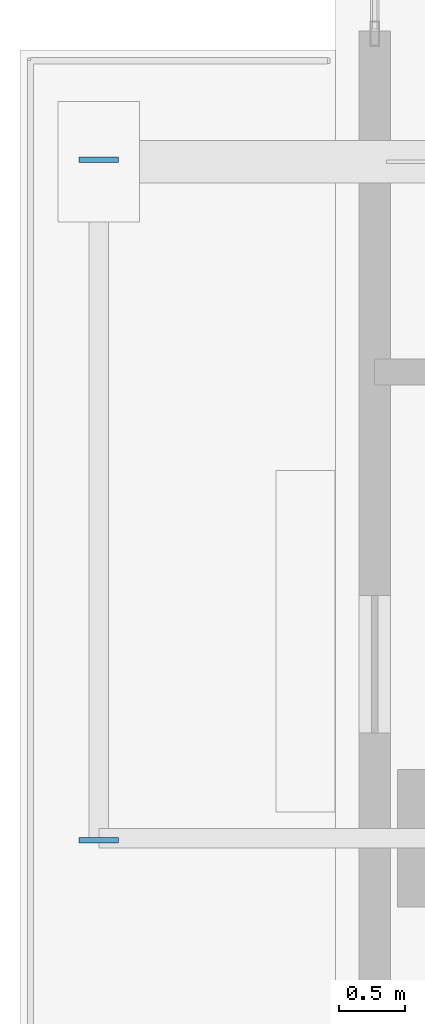
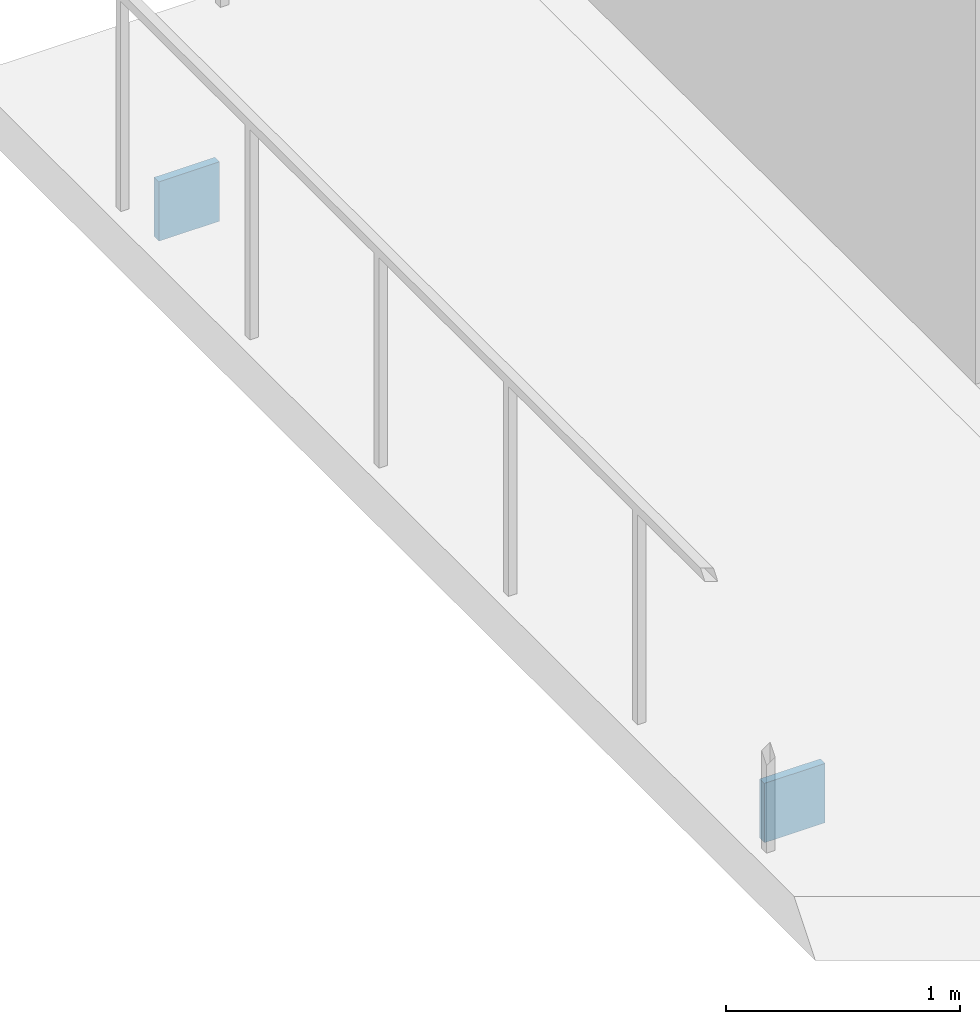
# One storey, part 18 of 25: 2 plates.
"""IFC4 building model written with IfcOpenShell, lengths in metres."""

import ifcopenshell
import ifcopenshell.guid

model = None  # the IFC model being written
_history = None  # IfcOwnerHistory: only IFC2X3 demands one
_inside = {}  # id of a spatial element -> (the spatial element, [elements in it])
_under = {}  # id of a project, library or spatial element -> (it, [spatial elements below it])
_declared = {}  # id of a project -> (the project, [libraries it declares])
_typed = {}  # id of a type object -> (the type object, [elements of that type])
_made_of = {}  # id of a material, layer set ... -> (it, [elements and type objects made of it])


def new_model(schema):
    """Start an empty IFC model of exactly this schema.

    Asked for "IFC4X3", IfcOpenShell would pick the latest addendum, in which some entities
    have other attributes; the version numbers below select the first issue.
    IFC2X3 requires an IfcOwnerHistory on every rooted entity: one is made here for all.
    """
    global model, _history
    if schema == "IFC4X3":
        model = ifcopenshell.file(schema_version=(4, 3, 0, 0))
    else:
        model = ifcopenshell.file(schema=schema)
    _inside.clear()
    _under.clear()
    _declared.clear()
    _typed.clear()
    _made_of.clear()
    _history = None
    if model.schema == "IFC2X3":
        org = make("IfcOrganization", Name="unknown")
        user = make(
            "IfcPersonAndOrganization",
            ThePerson=make("IfcPerson", FamilyName="unknown"),
            TheOrganization=org,
        )
        app = make(
            "IfcApplication",
            ApplicationDeveloper=org,
            Version="unknown",
            ApplicationFullName="unknown",
            ApplicationIdentifier="unknown",
        )
        _history = make(
            "IfcOwnerHistory",
            OwningUser=user,
            OwningApplication=app,
            ChangeAction="ADDED",
            CreationDate=0,
        )
    return model


def make(cls, **values):
    """One entity of the class cls with the attributes given. An attribute that is None is left unset."""
    return model.create_entity(
        cls, **{name: value for name, value in values.items() if value is not None}
    )


def rooted(cls, **values):
    """An entity with a GlobalId (a new one), such as an element, a storey or a relation."""
    return make(cls, GlobalId=ifcopenshell.guid.new(), OwnerHistory=_history, **values)


def si_unit(unit_type, name, prefix=None):
    """IfcSIUnit, for example si_unit("LENGTHUNIT", "METRE", prefix="MILLI")."""
    return make("IfcSIUnit", UnitType=unit_type, Prefix=prefix, Name=name)


def assignment(units):
    """IfcUnitAssignment: the units of a project."""
    return None if units is None else make("IfcUnitAssignment", Units=units)


def point(xyz):
    """IfcCartesianPoint."""
    return None if xyz is None else make("IfcCartesianPoint", Coordinates=xyz)


def direction(xyz):
    """IfcDirection."""
    return None if xyz is None else make("IfcDirection", DirectionRatios=xyz)


def frame(location, z_axis=None, x_axis=None):
    """IfcAxis2Placement3D, a coordinate frame: its origin and axes. An axis left out is left unset."""
    return make(
        "IfcAxis2Placement3D",
        Location=point(location),
        Axis=direction(z_axis),
        RefDirection=direction(x_axis),
    )


def frame_2d(location, x_axis=None):
    """IfcAxis2Placement2D, a coordinate frame in the plane: its origin and x axis."""
    return make(
        "IfcAxis2Placement2D", Location=point(location), RefDirection=direction(x_axis)
    )


def origin():
    """The frame at (0, 0, 0) with its axes left unset."""
    return frame((0.0, 0.0, 0.0))


def origin_2d():
    """The frame at (0, 0) in the plane with its x axis left unset."""
    return frame_2d((0.0, 0.0))


def place(relative_to, where):
    """IfcLocalPlacement: puts the frame where relative to a parent placement (None: the world)."""
    return make(
        "IfcLocalPlacement", PlacementRelTo=relative_to, RelativePlacement=where
    )


def context(
    kind, dimensions, precision=None, world=None, true_north=None, identifier=None
):
    """IfcGeometricRepresentationContext, for example the 3D "Model" context."""
    return make(
        "IfcGeometricRepresentationContext",
        ContextIdentifier=identifier,
        ContextType=kind,
        CoordinateSpaceDimension=dimensions,
        Precision=precision,
        WorldCoordinateSystem=world,
        TrueNorth=true_north,
    )


def subcontext(parent, identifier, kind, view, scale=None):
    """IfcGeometricRepresentationSubContext, for example "Body" below "Model"."""
    return make(
        "IfcGeometricRepresentationSubContext",
        ContextIdentifier=identifier,
        ContextType=kind,
        ParentContext=parent,
        TargetScale=scale,
        TargetView=view,
    )


def project(units=None, contexts=None):
    """IfcProject with its units and contexts."""
    return rooted(
        "IfcProject",
        Name="project",
        RepresentationContexts=contexts,
        UnitsInContext=assignment(units),
    )


def spatial(cls, under=None, at=None, **own):
    """A site, building, storey or space (cls), placed at a placement, below another one or the project."""
    s = rooted(cls, ObjectPlacement=at, **own)
    if under is not None:
        _under.setdefault(under.id(), (under, []))[1].append(s)
    return s


def profile(cls, at=None, kind="AREA", **sizes):
    """A parametric profile (cls). Its sizes go by their IFC names, for example OverallWidth=200.0."""
    return make(cls, ProfileType=kind, Position=at, **sizes)


def rectangle(**sizes):
    """IfcRectangleProfileDef."""
    return profile("IfcRectangleProfileDef", **sizes)


def extrude(swept, where, along, depth):
    """IfcExtrudedAreaSolid: the profile swept, set in the frame where, extruded along a direction by depth."""
    return make(
        "IfcExtrudedAreaSolid",
        SweptArea=swept,
        Position=where,
        ExtrudedDirection=direction(along),
        Depth=depth,
    )


def shape(context_of_items, identifier, shape_type, items):
    """IfcShapeRepresentation: the items that make up one representation, for example the "Body"."""
    return make(
        "IfcShapeRepresentation",
        ContextOfItems=context_of_items,
        RepresentationIdentifier=identifier,
        RepresentationType=shape_type,
        Items=items,
    )


def material(Name=None, Category=None):
    """IfcMaterial."""
    return make("IfcMaterial", Name=Name, Category=Category)


def layer(
    of_material, thickness, ventilated=None, Name=None, Category=None, Priority=None
):
    """IfcMaterialLayer: one layer of a wall or slab, of a material (None: an air gap)."""
    return make(
        "IfcMaterialLayer",
        Material=of_material,
        LayerThickness=thickness,
        IsVentilated=ventilated,
        Name=Name,
        Category=Category,
        Priority=Priority,
    )


def layer_set(layers, Name=None):
    """IfcMaterialLayerSet."""
    return make("IfcMaterialLayerSet", MaterialLayers=layers, LayerSetName=Name)


def made_of(thing, what):
    """Note that an element or type object is made of a material, layer set ...; save() writes the relation."""
    if what is not None:
        _made_of.setdefault(what.id(), (what, []))[1].append(thing)
    return thing


def type_object(cls, material=None, **own):
    """A type object (cls), such as IfcWallType, which elements share."""
    return made_of(rooted(cls, **own), material)


def element(
    cls,
    number,
    at=None,
    inside=None,
    cuts=None,
    type_object=None,
    material=None,
    context=None,
    identifier="Body",
    shape_type=None,
    held_by="IfcProductDefinitionShape",
    body=None,
    shapes=None,
    **own,
):
    """One element of the class cls, such as IfcWall. Its Tag is "e" and its number.

    at: its placement. inside: the storey or other place that contains it. cuts: it is an
    opening in that element (IfcRelVoidsElement). A single representation is given by context,
    identifier, shape_type and body (its items); several are given by shapes. held_by: the class
    of the entity that holds the representations. save() writes the other relations.
    """
    e = rooted(cls, Tag="e%d" % number, ObjectPlacement=at, **own)
    if body is not None:
        shapes = [shape(context, identifier, shape_type, body)]
    if shapes is not None:
        e.Representation = make(held_by, Representations=shapes)
    if inside is not None:
        _inside.setdefault(inside.id(), (inside, []))[1].append(e)
    if cuts is not None:
        rooted(
            "IfcRelVoidsElement", RelatingBuildingElement=cuts, RelatedOpeningElement=e
        )
    if type_object is not None:
        _typed.setdefault(type_object.id(), (type_object, []))[1].append(e)
    return made_of(e, material)


def aggregate(whole, parts):
    """IfcRelAggregates: a whole, such as a stair, and the parts it consists of."""
    return rooted("IfcRelAggregates", RelatingObject=whole, RelatedObjects=parts)


def save(model, path):
    """Write the relations noted so far, then the file.

    IfcRelAggregates (storeys below a building ...), IfcRelContainedInSpatialStructure (elements
    in a storey), IfcRelDefinesByType, IfcRelAssociatesMaterial and IfcRelDeclares: one each for
    every whole, place, type object, material and project.
    """
    for whole, parts in _under.values():
        aggregate(whole, parts)
    for where, things in _inside.values():
        rooted(
            "IfcRelContainedInSpatialStructure",
            RelatedElements=things,
            RelatingStructure=where,
        )
    for kind, things in _typed.values():
        rooted("IfcRelDefinesByType", RelatedObjects=things, RelatingType=kind)
    for what, things in _made_of.values():
        rooted("IfcRelAssociatesMaterial", RelatedObjects=things, RelatingMaterial=what)
    for by, libraries in _declared.values():
        rooted("IfcRelDeclares", RelatingContext=by, RelatedDefinitions=libraries)
    model.write(path)


model = new_model("IFC4")

# Units and contexts
model_context = context("Model", 3, precision=1e-05, world=origin(), true_north=direction((0.0, 1.0)))
body_context = subcontext(model_context, "Body", "Model", "MODEL_VIEW")
ifc_project = project(units=[si_unit("LENGTHUNIT", "METRE"), si_unit("AREAUNIT", "SQUARE_METRE"), si_unit("VOLUMEUNIT", "CUBIC_METRE"), si_unit("PLANEANGLEUNIT", "RADIAN"), si_unit("MASSUNIT", "GRAM", prefix="KILO"), si_unit("THERMODYNAMICTEMPERATUREUNIT", "KELVIN"), si_unit("POWERUNIT", "WATT")], contexts=[model_context])

# Site, building, storey
site_placement = place(None, origin())
site = spatial("IfcSite", under=ifc_project, at=site_placement, CompositionType="ELEMENT")
building_placement = place(site_placement, origin())
building = spatial("IfcBuilding", under=site, at=building_placement, Name="Svarakhadi Broadcast Tower", CompositionType="ELEMENT")
storey_placement = place(building_placement, frame((0.0, 0.0, 227.39990234375)))
storey = spatial("IfcBuildingStorey", under=building, at=storey_placement, Name="L56", CompositionType="ELEMENT", Elevation=227.39990234375)

# Plates
ifc_material = material(Name="Steel S460ML (IS 2062 E450BR)", Category="steel")
ifc_layer = layer(ifc_material, 0.028076171875)
ifc_layer_set = layer_set([ifc_layer], Name="Steel S460ML (IS 2062 E450BR)")
plate_type = type_object("IfcPlateType", Name="Cap_Plate_CP02", PredefinedType="USERDEFINED", material=ifc_layer_set)
for number, where, z_axis, x_axis, name in (
    (1, (-1.800048828125, 23.985107421875, -0.5048828125), (0.0, 0.0, 1.0), (1.0, 0.0, 0.0), "L56 Balcony Spandrel End Cap Plate 2F-A"),
    (2, (-1.800048828125, 29.1650390625, -0.5048828125), (0.0, 0.0, 1.0), (1.0, 0.0, 0.0), "L56 Balcony Spandrel End Cap Plate 2F-B"),
):
    element("IfcPlate", number, at=place(storey_placement, frame(where, z_axis=z_axis, x_axis=x_axis)), inside=storey, type_object=plate_type, Name=name, ObjectType="FLANGE_PLATE", PredefinedType="USERDEFINED", context=body_context, shape_type="SweptSolid", body=[
        extrude(rectangle(XDim=0.300048828125, YDim=0.0400390625, at=origin_2d()), origin(), (0.0, 0.0, 1.0), 0.31005859375),
    ])

save(model, "model.ifc")
